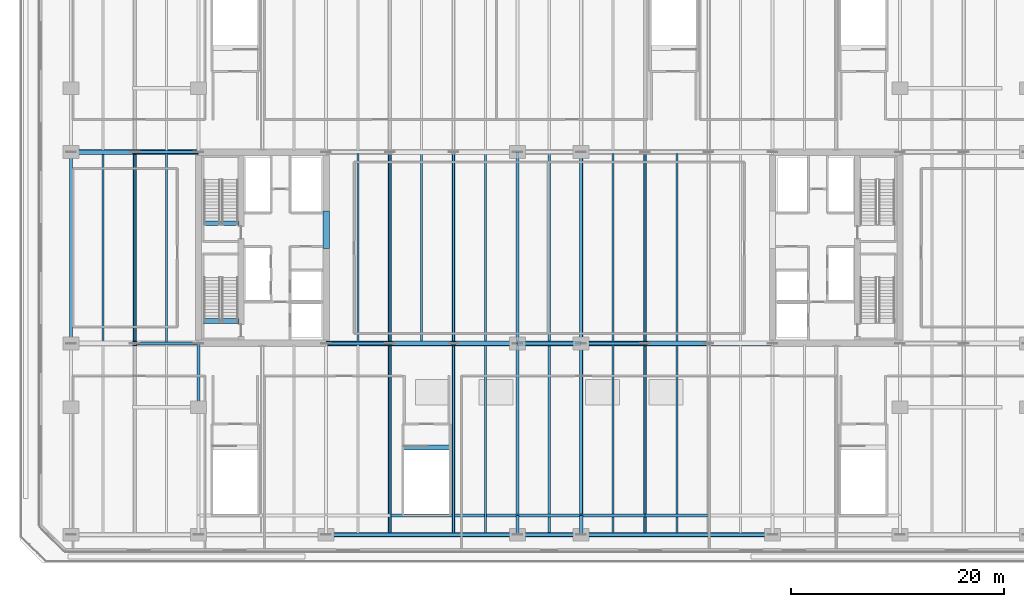
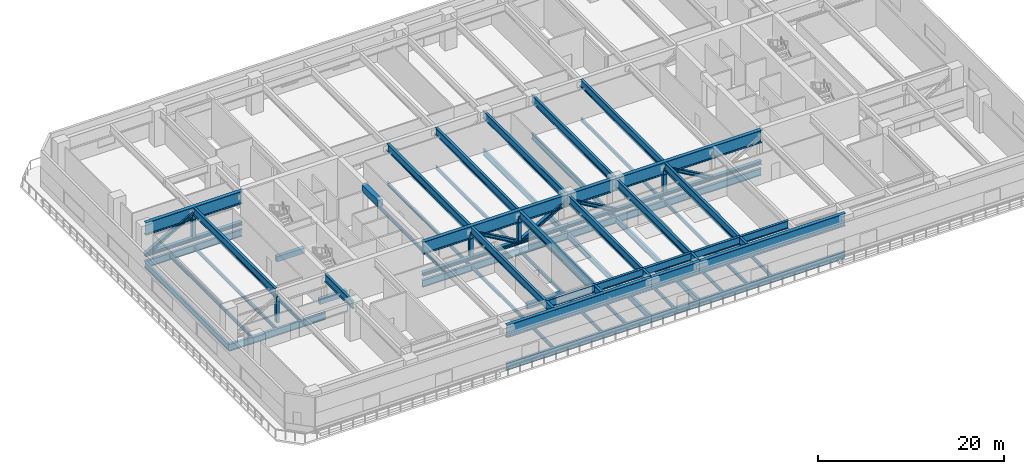
# One storey, part 2 of 25: 61 beams, 14 members.
"""IFC4 building model written with IfcOpenShell, lengths in metres."""

from ifc_helpers import new_model, si_unit, direction, frame, origin, origin_2d, place, context, subcontext, project, spatial, rectangle, i_section, extrude, material, material_profile, profile_set, type_object, element, save


model = new_model("IFC4")

# Units and contexts
model_context = context("Model", 3, precision=1e-05, world=origin(), true_north=direction((0.0, 1.0)))
body_context = subcontext(model_context, "Body", "Model", "MODEL_VIEW")
ifc_project = project(units=[si_unit("LENGTHUNIT", "METRE"), si_unit("AREAUNIT", "SQUARE_METRE"), si_unit("VOLUMEUNIT", "CUBIC_METRE"), si_unit("PLANEANGLEUNIT", "RADIAN"), si_unit("MASSUNIT", "GRAM", prefix="KILO")], contexts=[model_context])

# Site, building, storey
site_placement = place(None, origin())
site = spatial("IfcSite", under=ifc_project, at=site_placement, CompositionType="ELEMENT")
building_placement = place(site_placement, origin())
building = spatial("IfcBuilding", under=site, at=building_placement, Name="Tanjung Sevakor Pilgrim Tower", CompositionType="ELEMENT")
storey_placement = place(building_placement, frame((0.0, 0.0, 24.090087890625)))
storey = spatial("IfcBuildingStorey", under=building, at=storey_placement, Name="L06", CompositionType="ELEMENT", Elevation=24.090087890625)

# Beams
ifc_material_1 = material(Name="Steel S355J2", Category="steel")
ifc_material_profile_1 = material_profile(ifc_material_1, i_section(OverallWidth=0.26806640625, OverallDepth=0.769775390625, WebThickness=0.015625, FlangeThickness=0.025390625, FilletRadius=0.0166015625, at=origin_2d()))
ifc_profile_set_1 = profile_set([ifc_material_profile_1], Name="Steel S355J2")
beam_type_1 = type_object("IfcBeamType", Name="BM-B-G1-UB_762x267x197", PredefinedType="BEAM", material=ifc_profile_set_1)
for number, where, z_axis, x_axis, name in (
    (1, (12.0, 24.60009765625, -0.735107421875), (0.0, 1.0, 0.0), (-1.0, 0.0, 0.0), "L06 Podium Girder NS X12-2"),
    (2, (54.0, 6.60009765625, -0.735107421875), (0.0, 1.0, 0.0), (-1.0, 0.0, 0.0), "L06 Podium Girder NS X54-1"),
    (3, (54.0, 24.60009765625, -0.735107421875), (0.0, 1.0, 0.0), (-1.0, 0.0, 0.0), "L06 Podium Girder NS X54-2"),
    (4, (60.0, 6.60009765625, -0.735107421875), (0.0, 1.0, 0.0), (-1.0, 0.0, 0.0), "L06 Podium Girder NS X60-1"),
    (5, (60.0, 24.60009765625, -0.735107421875), (0.0, 1.0, 0.0), (-1.0, 0.0, 0.0), "L06 Podium Girder NS X60-2"),
):
    element("IfcBeam", number, at=place(storey_placement, frame(where, z_axis=z_axis, x_axis=x_axis)), inside=storey, type_object=beam_type_1, Name=name, PredefinedType="BEAM", context=body_context, shape_type="SweptSolid", body=[
        extrude(i_section(OverallWidth=0.26806640625, OverallDepth=0.769775390625, WebThickness=0.015625, FlangeThickness=0.025390625, FilletRadius=0.0166015625, at=origin_2d()), origin(), (0.0, 0.0, 1.0), 18.0),
    ])
ifc_material_2 = material(Name="Steel S460M", Category="steel")
ifc_material_profile_2 = material_profile(ifc_material_2, i_section(OverallWidth=0.302001953125, OverallDepth=1.008056640625, WebThickness=0.02099609375, FlangeThickness=0.0400390625, FilletRadius=0.030029296875, at=origin_2d()))
ifc_profile_set_2 = profile_set([ifc_material_profile_2], Name="Steel S460M")
beam_type_2 = type_object("IfcBeamType", Name="BM-B-G7-HE_1000M", PredefinedType="BEAM", material=ifc_profile_set_2)
beam_1_placement = place(storey_placement, frame((18.0, 24.824951171875, 4.205810546875), z_axis=(0.0, 1.0, 0.0), x_axis=(-1.0, 0.0, 0.0)))
element("IfcBeam", 6, at=beam_1_placement, inside=storey, type_object=beam_type_2, Name="TC-2 L06 Transfer Truss Chord NS X18.0-2", PredefinedType="BEAM", context=body_context, shape_type="SweptSolid", body=[
    extrude(i_section(OverallWidth=0.302001953125, OverallDepth=1.008056640625, WebThickness=0.02099609375, FlangeThickness=0.0400390625, FilletRadius=0.030029296875, at=origin_2d()), origin(), (0.0, 0.0, 1.0), 17.550048828125),
])
beam_2_placement = place(storey_placement, frame((24.0, 18.60009765625, 4.205810546875), z_axis=(0.0, 1.0, 0.0), x_axis=(-1.0, 0.0, 0.0)))
element("IfcBeam", 7, at=beam_2_placement, inside=storey, type_object=beam_type_2, Name="TC-2 L06 Transfer Truss Chord NS X24.0-3", PredefinedType="BEAM", context=body_context, shape_type="SweptSolid", body=[
    extrude(i_section(OverallWidth=0.302001953125, OverallDepth=1.008056640625, WebThickness=0.02099609375, FlangeThickness=0.0400390625, FilletRadius=0.030029296875, at=origin_2d()), origin(), (0.0, 0.0, 1.0), 6.0),
])
for number, where, z_axis, x_axis, name in (
    (8, (42.0, 6.824951171875, 4.205810546875), (0.0, 1.0, 0.0), (-1.0, 0.0, 0.0), "TC-2 L06 Transfer Truss Chord NS X42.0-1"),
    (9, (42.0, 24.824951171875, 4.205810546875), (0.0, 1.0, 0.0), (-1.0, 0.0, 0.0), "TC-2 L06 Transfer Truss Chord NS X42.0-2"),
    (10, (48.0, 6.824951171875, 4.205810546875), (0.0, 1.0, 0.0), (-1.0, 0.0, 0.0), "TC-2 L06 Transfer Truss Chord NS X48.0-1"),
    (11, (48.0, 24.824951171875, 4.205810546875), (0.0, 1.0, 0.0), (-1.0, 0.0, 0.0), "TC-2 L06 Transfer Truss Chord NS X48.0-2"),
):
    element("IfcBeam", number, at=place(storey_placement, frame(where, z_axis=z_axis, x_axis=x_axis)), inside=storey, type_object=beam_type_2, Name=name, PredefinedType="BEAM", context=body_context, shape_type="SweptSolid", body=[
        extrude(i_section(OverallWidth=0.302001953125, OverallDepth=1.008056640625, WebThickness=0.02099609375, FlangeThickness=0.0400390625, FilletRadius=0.030029296875, at=origin_2d()), origin(), (0.0, 0.0, 1.0), 17.550048828125),
    ])
beam_3_placement = place(storey_placement, frame((54.0, 6.60009765625, 4.205810546875), z_axis=(0.0, 1.0, 0.0), x_axis=(-1.0, 0.0, 0.0)))
element("IfcBeam", 12, at=beam_3_placement, inside=storey, type_object=beam_type_2, Name="TC-2 L06 Transfer Truss Chord NS X54.0-1", PredefinedType="BEAM", context=body_context, shape_type="SweptSolid", body=[
    extrude(i_section(OverallWidth=0.302001953125, OverallDepth=1.008056640625, WebThickness=0.02099609375, FlangeThickness=0.0400390625, FilletRadius=0.030029296875, at=origin_2d()), origin(), (0.0, 0.0, 1.0), 1.7998046875),
])
beam_4_placement = place(storey_placement, frame((54.0, 8.39990234375, 4.205810546875), z_axis=(0.0, 1.0, 0.0), x_axis=(-1.0, 0.0, 0.0)))
element("IfcBeam", 13, at=beam_4_placement, inside=storey, type_object=beam_type_2, Name="TC-2 L06 Transfer Truss Chord NS X54.0-2", PredefinedType="BEAM", context=body_context, shape_type="SweptSolid", body=[
    extrude(i_section(OverallWidth=0.302001953125, OverallDepth=1.008056640625, WebThickness=0.02099609375, FlangeThickness=0.0400390625, FilletRadius=0.030029296875, at=origin_2d()), origin(), (0.0, 0.0, 1.0), 16.2001953125),
])
beam_5_placement = place(storey_placement, frame((54.0, 24.60009765625, 4.205810546875), z_axis=(0.0, 1.0, 0.0), x_axis=(-1.0, 0.0, 0.0)))
element("IfcBeam", 14, at=beam_5_placement, inside=storey, type_object=beam_type_2, Name="TC-2 L06 Transfer Truss Chord NS X54.0-3", PredefinedType="BEAM", context=body_context, shape_type="SweptSolid", body=[
    extrude(i_section(OverallWidth=0.302001953125, OverallDepth=1.008056640625, WebThickness=0.02099609375, FlangeThickness=0.0400390625, FilletRadius=0.030029296875, at=origin_2d()), origin(), (0.0, 0.0, 1.0), 18.0),
])
beam_6_placement = place(storey_placement, frame((60.0, 6.60009765625, 4.205810546875), z_axis=(0.0, 1.0, 0.0), x_axis=(-1.0, 0.0, 0.0)))
element("IfcBeam", 15, at=beam_6_placement, inside=storey, type_object=beam_type_2, Name="TC-2 L06 Transfer Truss Chord NS X60.0-1", PredefinedType="BEAM", context=body_context, shape_type="SweptSolid", body=[
    extrude(i_section(OverallWidth=0.302001953125, OverallDepth=1.008056640625, WebThickness=0.02099609375, FlangeThickness=0.0400390625, FilletRadius=0.030029296875, at=origin_2d()), origin(), (0.0, 0.0, 1.0), 1.7998046875),
])
beam_7_placement = place(storey_placement, frame((60.0, 8.39990234375, 4.205810546875), z_axis=(0.0, 1.0, 0.0), x_axis=(-1.0, 0.0, 0.0)))
element("IfcBeam", 16, at=beam_7_placement, inside=storey, type_object=beam_type_2, Name="TC-2 L06 Transfer Truss Chord NS X60.0-2", PredefinedType="BEAM", context=body_context, shape_type="SweptSolid", body=[
    extrude(i_section(OverallWidth=0.302001953125, OverallDepth=1.008056640625, WebThickness=0.02099609375, FlangeThickness=0.0400390625, FilletRadius=0.030029296875, at=origin_2d()), origin(), (0.0, 0.0, 1.0), 16.2001953125),
])
beam_8_placement = place(storey_placement, frame((60.0, 24.60009765625, 4.205810546875), z_axis=(0.0, 1.0, 0.0), x_axis=(-1.0, 0.0, 0.0)))
element("IfcBeam", 17, at=beam_8_placement, inside=storey, type_object=beam_type_2, Name="TC-2 L06 Transfer Truss Chord NS X60.0-3", PredefinedType="BEAM", context=body_context, shape_type="SweptSolid", body=[
    extrude(i_section(OverallWidth=0.302001953125, OverallDepth=1.008056640625, WebThickness=0.02099609375, FlangeThickness=0.0400390625, FilletRadius=0.030029296875, at=origin_2d()), origin(), (0.0, 0.0, 1.0), 18.0),
])
for number, where, z_axis, x_axis, name in (
    (18, (66.0, 6.824951171875, 4.205810546875), (0.0, 1.0, 0.0), (-1.0, 0.0, 0.0), "TC-2 L06 Transfer Truss Chord NS X66.0-1"),
    (19, (66.0, 24.824951171875, 4.205810546875), (0.0, 1.0, 0.0), (-1.0, 0.0, 0.0), "TC-2 L06 Transfer Truss Chord NS X66.0-2"),
):
    element("IfcBeam", number, at=place(storey_placement, frame(where, z_axis=z_axis, x_axis=x_axis)), inside=storey, type_object=beam_type_2, Name=name, PredefinedType="BEAM", context=body_context, shape_type="SweptSolid", body=[
        extrude(i_section(OverallWidth=0.302001953125, OverallDepth=1.008056640625, WebThickness=0.02099609375, FlangeThickness=0.0400390625, FilletRadius=0.030029296875, at=origin_2d()), origin(), (0.0, 0.0, 1.0), 17.550048828125),
    ])
beam_9_placement = place(storey_placement, frame((42.0, 8.39990234375, 4.205810546875), z_axis=(1.0, 0.0, 0.0), x_axis=(0.0, 1.0, 0.0)))
element("IfcBeam", 20, at=beam_9_placement, inside=storey, type_object=beam_type_2, Name="TC-3 L06 Transfer Truss Ring Chord Y8.4-04", PredefinedType="BEAM", context=body_context, shape_type="SweptSolid", body=[
    extrude(i_section(OverallWidth=0.302001953125, OverallDepth=1.008056640625, WebThickness=0.02099609375, FlangeThickness=0.0400390625, FilletRadius=0.030029296875, at=origin_2d()), origin(), (0.0, 0.0, 1.0), 12.0),
])
for number, where, z_axis, x_axis, name in (
    (21, (54.0, 8.39990234375, 4.205810546875), (1.0, 0.0, 0.0), (0.0, 1.0, 0.0), "TC-3 L06 Transfer Truss Ring Chord Y8.4-05"),
    (22, (60.0, 8.39990234375, 4.205810546875), (1.0, 0.0, 0.0), (0.0, 1.0, 0.0), "TC-3 L06 Transfer Truss Ring Chord Y8.4-06"),
    (23, (66.0, 8.39990234375, 4.205810546875), (1.0, 0.0, 0.0), (0.0, 1.0, 0.0), "TC-3 L06 Transfer Truss Ring Chord Y8.4-07"),
):
    element("IfcBeam", number, at=place(storey_placement, frame(where, z_axis=z_axis, x_axis=x_axis)), inside=storey, type_object=beam_type_2, Name=name, PredefinedType="BEAM", context=body_context, shape_type="SweptSolid", body=[
        extrude(i_section(OverallWidth=0.302001953125, OverallDepth=1.008056640625, WebThickness=0.02099609375, FlangeThickness=0.0400390625, FilletRadius=0.030029296875, at=origin_2d()), origin(), (0.0, 0.0, 1.0), 6.0),
    ])
ifc_material_3 = material(Name="Steel S355J2", Category="steel")
ifc_material_profile_3 = material_profile(ifc_material_3, i_section(OverallWidth=0.19140625, OverallDepth=0.4599609375, WebThickness=0.010009765625, FlangeThickness=0.01611328125, FilletRadius=0.01025390625, at=origin_2d()))
ifc_profile_set_3 = profile_set([ifc_material_profile_3], Name="Steel S355J2")
beam_type_3 = type_object("IfcBeamType", Name="BM-B-J2-UB_457x191x82", PredefinedType="JOIST", material=ifc_profile_set_3)
for number, where, z_axis, x_axis, name in (
    (24, (15.0, 24.752685546875, -0.580078125), (0.0, 1.0, 0.0), (-1.0, 0.0, 0.0), "L06 Secondary Joist 002"),
    (25, (18.0, 24.752685546875, -0.580078125), (0.0, 1.0, 0.0), (-1.0, 0.0, 0.0), "L06 Secondary Joist 005"),
    (26, (21.0, 24.752685546875, -0.580078125), (0.0, 1.0, 0.0), (-1.0, 0.0, 0.0), "L06 Secondary Joist 008"),
    (27, (39.0, 24.752685546875, -0.580078125), (0.0, 1.0, 0.0), (-1.0, 0.0, 0.0), "L06 Secondary Joist 015"),
    (28, (42.0, 6.752685546875, -0.580078125), (0.0, 1.0, 0.0), (-1.0, 0.0, 0.0), "L06 Secondary Joist 017"),
    (29, (42.0, 24.752685546875, -0.580078125), (0.0, 1.0, 0.0), (-1.0, 0.0, 0.0), "L06 Secondary Joist 018"),
    (30, (45.0, 24.752685546875, -0.580078125), (0.0, 1.0, 0.0), (-1.0, 0.0, 0.0), "L06 Secondary Joist 020"),
    (31, (48.0, 6.752685546875, -0.580078125), (0.0, 1.0, 0.0), (-1.0, 0.0, 0.0), "L06 Secondary Joist 022"),
    (32, (48.0, 24.752685546875, -0.580078125), (0.0, 1.0, 0.0), (-1.0, 0.0, 0.0), "L06 Secondary Joist 023"),
    (33, (51.0, 6.752685546875, -0.580078125), (0.0, 1.0, 0.0), (-1.0, 0.0, 0.0), "L06 Secondary Joist 025"),
    (34, (51.0, 24.752685546875, -0.580078125), (0.0, 1.0, 0.0), (-1.0, 0.0, 0.0), "L06 Secondary Joist 026"),
    (35, (57.0, 6.752685546875, -0.580078125), (0.0, 1.0, 0.0), (-1.0, 0.0, 0.0), "L06 Secondary Joist 028"),
    (36, (57.0, 24.752685546875, -0.580078125), (0.0, 1.0, 0.0), (-1.0, 0.0, 0.0), "L06 Secondary Joist 029"),
    (37, (63.0, 6.752685546875, -0.580078125), (0.0, 1.0, 0.0), (-1.0, 0.0, 0.0), "L06 Secondary Joist 031"),
    (38, (63.0, 24.752685546875, -0.580078125), (0.0, 1.0, 0.0), (-1.0, 0.0, 0.0), "L06 Secondary Joist 032"),
    (39, (66.0, 6.752685546875, -0.580078125), (0.0, 1.0, 0.0), (-1.0, 0.0, 0.0), "L06 Secondary Joist 034"),
    (40, (66.0, 24.752685546875, -0.580078125), (0.0, 1.0, 0.0), (-1.0, 0.0, 0.0), "L06 Secondary Joist 035"),
    (41, (69.0, 6.752685546875, -0.580078125), (0.0, 1.0, 0.0), (-1.0, 0.0, 0.0), "L06 Secondary Joist 037"),
    (42, (69.0, 24.752685546875, -0.580078125), (0.0, 1.0, 0.0), (-1.0, 0.0, 0.0), "L06 Secondary Joist 038"),
):
    element("IfcBeam", number, at=place(storey_placement, frame(where, z_axis=z_axis, x_axis=x_axis)), inside=storey, type_object=beam_type_3, Name=name, PredefinedType="JOIST", context=body_context, shape_type="SweptSolid", body=[
        extrude(i_section(OverallWidth=0.19140625, OverallDepth=0.4599609375, WebThickness=0.010009765625, FlangeThickness=0.01611328125, FilletRadius=0.01025390625, at=origin_2d()), origin(), (0.0, 0.0, 1.0), 17.694580078125),
    ])
ifc_material_4 = material(Name="Concrete C60/75", Category="concrete")
ifc_material_profile_4 = material_profile(ifc_material_4, rectangle(XDim=0.60009765625, YDim=0.89990234375, at=origin_2d()))
ifc_profile_set_4 = profile_set([ifc_material_profile_4], Name="Concrete C60/75")
beam_type_4 = type_object("IfcBeamType", Name="BM-B-LN1-RC-BM_600x900", PredefinedType="LINTEL", material=ifc_profile_set_4)
beam_10_placement = place(storey_placement, frame((36.0, 33.550048828125, 4.260009765625), z_axis=(0.0, 1.0, 0.0), x_axis=(-1.0, 0.0, 0.0)))
element("IfcBeam", 43, at=beam_10_placement, inside=storey, type_object=beam_type_4, Name="L06 W Core Coupling Lintel", PredefinedType="LINTEL", context=body_context, shape_type="SweptSolid", body=[
    extrude(rectangle(XDim=0.60009765625, YDim=0.89990234375, at=origin_2d()), origin(), (0.0, 0.0, 1.0), 3.5),
])
ifc_material_5 = material(Name="Concrete C60/75", Category="concrete")
ifc_material_profile_5 = material_profile(ifc_material_5, rectangle(XDim=0.449951171875, YDim=0.699951171875, at=origin_2d()))
ifc_profile_set_5 = profile_set([ifc_material_profile_5], Name="Concrete C60/75")
beam_type_5 = type_object("IfcBeamType", Name="BM-B-LN3-RC-BM_450x700", PredefinedType="LINTEL", material=ifc_profile_set_5)
for number, where, z_axis, x_axis, name in (
    (44, (24.39990234375, 26.699951171875, -0.35009765625), (1.0, 0.0, 0.0), (0.0, 1.0, 0.0), "L06 TS-W1 Stair Threshold Beam"),
    (45, (24.39990234375, 35.89990234375, -0.35009765625), (1.0, 0.0, 0.0), (0.0, 1.0, 0.0), "L06 TS-W2 Stair Threshold Beam"),
):
    element("IfcBeam", number, at=place(storey_placement, frame(where, z_axis=z_axis, x_axis=x_axis)), inside=storey, type_object=beam_type_5, Name=name, PredefinedType="LINTEL", context=body_context, shape_type="SweptSolid", body=[
        extrude(rectangle(XDim=0.449951171875, YDim=0.699951171875, at=origin_2d()), origin(), (0.0, 0.0, 1.0), 3.400146484375),
    ])
beam_11_placement = place(storey_placement, frame((43.25, 14.800048828125, -0.35009765625), z_axis=(1.0, 0.0, 0.0), x_axis=(0.0, 1.0, 0.0)))
element("IfcBeam", 46, at=beam_11_placement, inside=storey, type_object=beam_type_5, Name="L06 PS-3 Stair Threshold Beam", PredefinedType="LINTEL", context=body_context, shape_type="SweptSolid", body=[
    extrude(rectangle(XDim=0.449951171875, YDim=0.699951171875, at=origin_2d()), origin(), (0.0, 0.0, 1.0), 4.39990234375),
])
ifc_material_6 = material(Name="Steel S355J2", Category="steel")
ifc_material_profile_6 = material_profile(ifc_material_6, i_section(OverallWidth=0.305419921875, OverallDepth=0.91845703125, WebThickness=0.017333984375, FlangeThickness=0.02783203125, FilletRadius=0.01904296875, at=origin_2d()))
ifc_profile_set_6 = profile_set([ifc_material_profile_6], Name="Steel S355J2")
beam_type_6 = type_object("IfcBeamType", Name="BM-B-POD2-UB_914x305x253", PredefinedType="BEAM", material=ifc_profile_set_6)
beam_12_placement = place(storey_placement, frame((36.0, 6.60009765625, -0.809326171875), z_axis=(1.0, 0.0, 0.0), x_axis=(0.0, 1.0, 0.0)))
element("IfcBeam", 47, at=beam_12_placement, inside=storey, type_object=beam_type_6, Name="L06 Podium Girder EW Y6.6-3", PredefinedType="BEAM", context=body_context, shape_type="SweptSolid", body=[
    extrude(i_section(OverallWidth=0.305419921875, OverallDepth=0.91845703125, WebThickness=0.017333984375, FlangeThickness=0.02783203125, FilletRadius=0.01904296875, at=origin_2d()), origin(), (0.0, 0.0, 1.0), 18.0),
])
beam_13_placement = place(storey_placement, frame((54.0, 6.60009765625, -0.809326171875), z_axis=(1.0, 0.0, 0.0), x_axis=(0.0, 1.0, 0.0)))
element("IfcBeam", 48, at=beam_13_placement, inside=storey, type_object=beam_type_6, Name="L06 Podium Girder EW Y6.6-4", PredefinedType="BEAM", context=body_context, shape_type="SweptSolid", body=[
    extrude(i_section(OverallWidth=0.305419921875, OverallDepth=0.91845703125, WebThickness=0.017333984375, FlangeThickness=0.02783203125, FilletRadius=0.01904296875, at=origin_2d()), origin(), (0.0, 0.0, 1.0), 6.0),
])
beam_14_placement = place(storey_placement, frame((60.0, 6.60009765625, -0.809326171875), z_axis=(1.0, 0.0, 0.0), x_axis=(0.0, 1.0, 0.0)))
element("IfcBeam", 49, at=beam_14_placement, inside=storey, type_object=beam_type_6, Name="L06 Podium Girder EW Y6.6-5", PredefinedType="BEAM", context=body_context, shape_type="SweptSolid", body=[
    extrude(i_section(OverallWidth=0.305419921875, OverallDepth=0.91845703125, WebThickness=0.017333984375, FlangeThickness=0.02783203125, FilletRadius=0.01904296875, at=origin_2d()), origin(), (0.0, 0.0, 1.0), 18.0),
])
beam_15_placement = place(storey_placement, frame((12.0, 24.60009765625, -0.809326171875), z_axis=(1.0, 0.0, 0.0), x_axis=(0.0, 1.0, 0.0)))
element("IfcBeam", 50, at=beam_15_placement, inside=storey, type_object=beam_type_6, Name="L06 Podium Girder EW Y24.6-1", PredefinedType="BEAM", context=body_context, shape_type="SweptSolid", body=[
    extrude(i_section(OverallWidth=0.305419921875, OverallDepth=0.91845703125, WebThickness=0.017333984375, FlangeThickness=0.02783203125, FilletRadius=0.01904296875, at=origin_2d()), origin(), (0.0, 0.0, 1.0), 12.0),
])
beam_16_placement = place(storey_placement, frame((36.0, 24.60009765625, -0.809326171875), z_axis=(1.0, 0.0, 0.0), x_axis=(0.0, 1.0, 0.0)))
element("IfcBeam", 51, at=beam_16_placement, inside=storey, type_object=beam_type_6, Name="L06 Podium Girder EW Y24.6-2", PredefinedType="BEAM", context=body_context, shape_type="SweptSolid", body=[
    extrude(i_section(OverallWidth=0.305419921875, OverallDepth=0.91845703125, WebThickness=0.017333984375, FlangeThickness=0.02783203125, FilletRadius=0.01904296875, at=origin_2d()), origin(), (0.0, 0.0, 1.0), 18.0),
])
beam_17_placement = place(storey_placement, frame((54.0, 24.60009765625, -0.809326171875), z_axis=(1.0, 0.0, 0.0), x_axis=(0.0, 1.0, 0.0)))
element("IfcBeam", 52, at=beam_17_placement, inside=storey, type_object=beam_type_6, Name="L06 Podium Girder EW Y24.6-3", PredefinedType="BEAM", context=body_context, shape_type="SweptSolid", body=[
    extrude(i_section(OverallWidth=0.305419921875, OverallDepth=0.91845703125, WebThickness=0.017333984375, FlangeThickness=0.02783203125, FilletRadius=0.01904296875, at=origin_2d()), origin(), (0.0, 0.0, 1.0), 6.0),
])
beam_18_placement = place(storey_placement, frame((60.0, 24.60009765625, -0.809326171875), z_axis=(1.0, 0.0, 0.0), x_axis=(0.0, 1.0, 0.0)))
element("IfcBeam", 53, at=beam_18_placement, inside=storey, type_object=beam_type_6, Name="L06 Podium Girder EW Y24.6-4", PredefinedType="BEAM", context=body_context, shape_type="SweptSolid", body=[
    extrude(i_section(OverallWidth=0.305419921875, OverallDepth=0.91845703125, WebThickness=0.017333984375, FlangeThickness=0.02783203125, FilletRadius=0.01904296875, at=origin_2d()), origin(), (0.0, 0.0, 1.0), 18.0),
])
beam_19_placement = place(storey_placement, frame((12.0, 42.60009765625, -0.809326171875), z_axis=(1.0, 0.0, 0.0), x_axis=(0.0, 1.0, 0.0)))
element("IfcBeam", 54, at=beam_19_placement, inside=storey, type_object=beam_type_6, Name="L06 Podium Girder EW Y42.6-1", PredefinedType="BEAM", context=body_context, shape_type="SweptSolid", body=[
    extrude(i_section(OverallWidth=0.305419921875, OverallDepth=0.91845703125, WebThickness=0.017333984375, FlangeThickness=0.02783203125, FilletRadius=0.01904296875, at=origin_2d()), origin(), (0.0, 0.0, 1.0), 12.0),
])
ifc_material_7 = material(Name="Steel S460M", Category="steel")
ifc_material_profile_7 = material_profile(ifc_material_7, i_section(OverallWidth=0.449951171875, OverallDepth=1.64990234375, WebThickness=0.02392578125, FlangeThickness=0.0400390625, FilletRadius=0.02392578125, at=origin_2d()))
ifc_profile_set_7 = profile_set([ifc_material_profile_7], Name="Steel S460M")
beam_type_7 = type_object("IfcBeamType", Name="BM-B-TC1-PG_1650x450x40", PredefinedType="USERDEFINED", material=ifc_profile_set_7)
beam_20_placement = place(storey_placement, frame((36.0, 6.60009765625, 3.885009765625), z_axis=(1.0, 0.0, 0.0), x_axis=(0.0, 1.0, 0.0)))
element("IfcBeam", 55, at=beam_20_placement, inside=storey, type_object=beam_type_7, Name="TC-1 L06 Transfer Truss Top Chord Y6.6 S3", ObjectType="TRANSFER CHORD", PredefinedType="USERDEFINED", context=body_context, shape_type="SweptSolid", body=[
    extrude(i_section(OverallWidth=0.449951171875, OverallDepth=1.64990234375, WebThickness=0.02392578125, FlangeThickness=0.0400390625, FilletRadius=0.02392578125, at=origin_2d()), origin(), (0.0, 0.0, 1.0), 18.0),
])
beam_21_placement = place(storey_placement, frame((54.0, 6.60009765625, 3.885009765625), z_axis=(1.0, 0.0, 0.0), x_axis=(0.0, 1.0, 0.0)))
element("IfcBeam", 56, at=beam_21_placement, inside=storey, type_object=beam_type_7, Name="TC-1 L06 Transfer Truss Top Chord Y6.6 S4", ObjectType="TRANSFER CHORD", PredefinedType="USERDEFINED", context=body_context, shape_type="SweptSolid", body=[
    extrude(i_section(OverallWidth=0.449951171875, OverallDepth=1.64990234375, WebThickness=0.02392578125, FlangeThickness=0.0400390625, FilletRadius=0.02392578125, at=origin_2d()), origin(), (0.0, 0.0, 1.0), 6.0),
])
for number, where, z_axis, x_axis, name in (
    (57, (60.0, 6.60009765625, 3.885009765625), (1.0, 0.0, 0.0), (0.0, 1.0, 0.0), "TC-1 L06 Transfer Truss Top Chord Y6.6 S5"),
    (58, (36.0, 24.60009765625, 3.885009765625), (1.0, 0.0, 0.0), (0.0, 1.0, 0.0), "TC-1 L06 Transfer Truss Top Chord Y24.6 S2"),
):
    element("IfcBeam", number, at=place(storey_placement, frame(where, z_axis=z_axis, x_axis=x_axis)), inside=storey, type_object=beam_type_7, Name=name, ObjectType="TRANSFER CHORD", PredefinedType="USERDEFINED", context=body_context, shape_type="SweptSolid", body=[
        extrude(i_section(OverallWidth=0.449951171875, OverallDepth=1.64990234375, WebThickness=0.02392578125, FlangeThickness=0.0400390625, FilletRadius=0.02392578125, at=origin_2d()), origin(), (0.0, 0.0, 1.0), 18.0),
    ])
beam_22_placement = place(storey_placement, frame((54.0, 24.60009765625, 3.885009765625), z_axis=(1.0, 0.0, 0.0), x_axis=(0.0, 1.0, 0.0)))
element("IfcBeam", 59, at=beam_22_placement, inside=storey, type_object=beam_type_7, Name="TC-1 L06 Transfer Truss Top Chord Y24.6 S3", ObjectType="TRANSFER CHORD", PredefinedType="USERDEFINED", context=body_context, shape_type="SweptSolid", body=[
    extrude(i_section(OverallWidth=0.449951171875, OverallDepth=1.64990234375, WebThickness=0.02392578125, FlangeThickness=0.0400390625, FilletRadius=0.02392578125, at=origin_2d()), origin(), (0.0, 0.0, 1.0), 6.0),
])
beam_23_placement = place(storey_placement, frame((60.0, 24.60009765625, 3.885009765625), z_axis=(1.0, 0.0, 0.0), x_axis=(0.0, 1.0, 0.0)))
element("IfcBeam", 60, at=beam_23_placement, inside=storey, type_object=beam_type_7, Name="TC-1 L06 Transfer Truss Top Chord Y24.6 S4", ObjectType="TRANSFER CHORD", PredefinedType="USERDEFINED", context=body_context, shape_type="SweptSolid", body=[
    extrude(i_section(OverallWidth=0.449951171875, OverallDepth=1.64990234375, WebThickness=0.02392578125, FlangeThickness=0.0400390625, FilletRadius=0.02392578125, at=origin_2d()), origin(), (0.0, 0.0, 1.0), 18.0),
])
beam_24_placement = place(storey_placement, frame((12.0, 42.60009765625, 3.885009765625), z_axis=(1.0, 0.0, 0.0), x_axis=(0.0, 1.0, 0.0)))
element("IfcBeam", 61, at=beam_24_placement, inside=storey, type_object=beam_type_7, Name="TC-1 L06 Transfer Truss Top Chord Y42.6 S1", ObjectType="TRANSFER CHORD", PredefinedType="USERDEFINED", context=body_context, shape_type="SweptSolid", body=[
    extrude(i_section(OverallWidth=0.449951171875, OverallDepth=1.64990234375, WebThickness=0.02392578125, FlangeThickness=0.0400390625, FilletRadius=0.02392578125, at=origin_2d()), origin(), (0.0, 0.0, 1.0), 12.0),
])

# Members
ifc_material_8 = material(Name="Steel S460M", Category="steel")
ifc_material_profile_8 = material_profile(ifc_material_8, i_section(OverallWidth=0.412109375, OverallDepth=0.43505859375, WebThickness=0.035888671875, FlangeThickness=0.054931640625, FilletRadius=0.014892578125, at=origin_2d()))
ifc_profile_set_8 = profile_set([ifc_material_profile_8], Name="Steel S460M")
member_type_1 = type_object("IfcMemberType", Name="MEM-M-BR1-HD_400x463", PredefinedType="BRACE", material=ifc_profile_set_8)
for number, where, z_axis, x_axis, name in (
    (62, (42.0, 24.60009765625, 3.885009765625), (0.867838662316, 0.0, -0.496846109163), (0.0, 1.0, 0.0), "TD-1 L06 Transfer Truss Diagonal Brace Y24.6 P4"),
    (63, (48.0, 24.60009765625, 0.449951171875), (0.867838662316, 0.0, 0.496846109163), (0.0, 1.0, 0.0), "TD-1 L06 Transfer Truss Diagonal Brace Y24.6 P5"),
    (64, (54.0, 24.60009765625, 3.885009765625), (0.867838662316, 0.0, -0.496846109163), (0.0, 1.0, 0.0), "TD-1 L06 Transfer Truss Diagonal Brace Y24.6 P6"),
    (65, (66.0, 24.60009765625, 3.885009765625), (0.867838662316, 0.0, -0.496846109163), (0.0, 1.0, 0.0), "TD-1 L06 Transfer Truss Diagonal Brace Y24.6 P8"),
    (66, (12.0, 42.60009765625, 0.449951171875), (0.867838662316, 0.0, 0.496846109163), (0.0, 1.0, 0.0), "TD-1 L06 Transfer Truss Diagonal Brace Y42.6 P1"),
):
    element("IfcMember", number, at=place(storey_placement, frame(where, z_axis=z_axis, x_axis=x_axis)), inside=storey, type_object=member_type_1, Name=name, PredefinedType="BRACE", context=body_context, shape_type="SweptSolid", body=[
        extrude(i_section(OverallWidth=0.412109375, OverallDepth=0.43505859375, WebThickness=0.035888671875, FlangeThickness=0.054931640625, FilletRadius=0.014892578125, at=origin_2d()), origin(), (0.0, 0.0, 1.0), 6.913818359375),
    ])
ifc_material_9 = material(Name="Steel S460M", Category="steel")
ifc_material_profile_9 = material_profile(ifc_material_9, i_section(OverallWidth=0.4208984375, OverallDepth=0.465087890625, WebThickness=0.044921875, FlangeThickness=0.070068359375, FilletRadius=0.014892578125, at=origin_2d()))
ifc_profile_set_9 = profile_set([ifc_material_profile_9], Name="Steel S460M")
member_type_2 = type_object("IfcMemberType", Name="MEM-M-CH1-HD_400x592", PredefinedType="CHORD", material=ifc_profile_set_9)
member_1_placement = place(storey_placement, frame((36.0, 24.60009765625, 0.449951171875), z_axis=(1.0, 0.0, 0.0), x_axis=(0.0, 1.0, 0.0)))
element("IfcMember", 67, at=member_1_placement, inside=storey, type_object=member_type_2, Name="BC-1 L06 Transfer Truss Bottom Chord Y24.6 S2", PredefinedType="CHORD", context=body_context, shape_type="SweptSolid", body=[
    extrude(i_section(OverallWidth=0.4208984375, OverallDepth=0.465087890625, WebThickness=0.044921875, FlangeThickness=0.070068359375, FilletRadius=0.014892578125, at=origin_2d()), origin(), (0.0, 0.0, 1.0), 18.0),
])
member_2_placement = place(storey_placement, frame((54.0, 24.60009765625, 0.449951171875), z_axis=(1.0, 0.0, 0.0), x_axis=(0.0, 1.0, 0.0)))
element("IfcMember", 68, at=member_2_placement, inside=storey, type_object=member_type_2, Name="BC-1 L06 Transfer Truss Bottom Chord Y24.6 S3", PredefinedType="CHORD", context=body_context, shape_type="SweptSolid", body=[
    extrude(i_section(OverallWidth=0.4208984375, OverallDepth=0.465087890625, WebThickness=0.044921875, FlangeThickness=0.070068359375, FilletRadius=0.014892578125, at=origin_2d()), origin(), (0.0, 0.0, 1.0), 6.0),
])
member_3_placement = place(storey_placement, frame((60.0, 24.60009765625, 0.449951171875), z_axis=(1.0, 0.0, 0.0), x_axis=(0.0, 1.0, 0.0)))
element("IfcMember", 69, at=member_3_placement, inside=storey, type_object=member_type_2, Name="BC-1 L06 Transfer Truss Bottom Chord Y24.6 S4", PredefinedType="CHORD", context=body_context, shape_type="SweptSolid", body=[
    extrude(i_section(OverallWidth=0.4208984375, OverallDepth=0.465087890625, WebThickness=0.044921875, FlangeThickness=0.070068359375, FilletRadius=0.014892578125, at=origin_2d()), origin(), (0.0, 0.0, 1.0), 18.0),
])
member_4_placement = place(storey_placement, frame((12.0, 42.60009765625, 0.449951171875), z_axis=(1.0, 0.0, 0.0), x_axis=(0.0, 1.0, 0.0)))
element("IfcMember", 70, at=member_4_placement, inside=storey, type_object=member_type_2, Name="BC-1 L06 Transfer Truss Bottom Chord Y42.6 S1", PredefinedType="CHORD", context=body_context, shape_type="SweptSolid", body=[
    extrude(i_section(OverallWidth=0.4208984375, OverallDepth=0.465087890625, WebThickness=0.044921875, FlangeThickness=0.070068359375, FilletRadius=0.014892578125, at=origin_2d()), origin(), (0.0, 0.0, 1.0), 12.0),
])
ifc_material_10 = material(Name="Steel S460M", Category="steel")
ifc_material_profile_10 = material_profile(ifc_material_10, i_section(OverallWidth=0.406982421875, OverallDepth=0.4189453125, WebThickness=0.030517578125, FlangeThickness=0.04931640625, FilletRadius=0.01513671875, at=origin_2d()))
ifc_profile_set_10 = profile_set([ifc_material_profile_10], Name="Steel S460M")
member_type_3 = type_object("IfcMemberType", Name="MEM-M-ST1-UC_356x406x393", PredefinedType="STRUT", material=ifc_profile_set_10)
for number, where, z_axis, x_axis, name in (
    (71, (18.0, 24.60009765625, 0.449951171875), (0.0, 0.0, 1.0), (1.0, 0.0, 0.0), "TV-1 L06 Transfer Truss Vertical Strut X18 Y24.6"),
    (72, (42.0, 24.60009765625, 0.449951171875), (0.0, 0.0, 1.0), (1.0, 0.0, 0.0), "TV-1 L06 Transfer Truss Vertical Strut X42 Y24.6"),
    (73, (48.0, 24.60009765625, 0.449951171875), (0.0, 0.0, 1.0), (1.0, 0.0, 0.0), "TV-1 L06 Transfer Truss Vertical Strut X48 Y24.6"),
    (74, (66.0, 24.60009765625, 0.449951171875), (0.0, 0.0, 1.0), (1.0, 0.0, 0.0), "TV-1 L06 Transfer Truss Vertical Strut X66 Y24.6"),
    (75, (18.0, 42.60009765625, 0.449951171875), (0.0, 0.0, 1.0), (1.0, 0.0, 0.0), "TV-1 L06 Transfer Truss Vertical Strut X18 Y42.6"),
):
    element("IfcMember", number, at=place(storey_placement, frame(where, z_axis=z_axis, x_axis=x_axis)), inside=storey, type_object=member_type_3, Name=name, PredefinedType="STRUT", context=body_context, shape_type="SweptSolid", body=[
        extrude(i_section(OverallWidth=0.406982421875, OverallDepth=0.4189453125, WebThickness=0.030517578125, FlangeThickness=0.04931640625, FilletRadius=0.01513671875, at=origin_2d()), origin(), (0.0, 0.0, 1.0), 3.43505859375),
    ])

save(model, "model.ifc")
